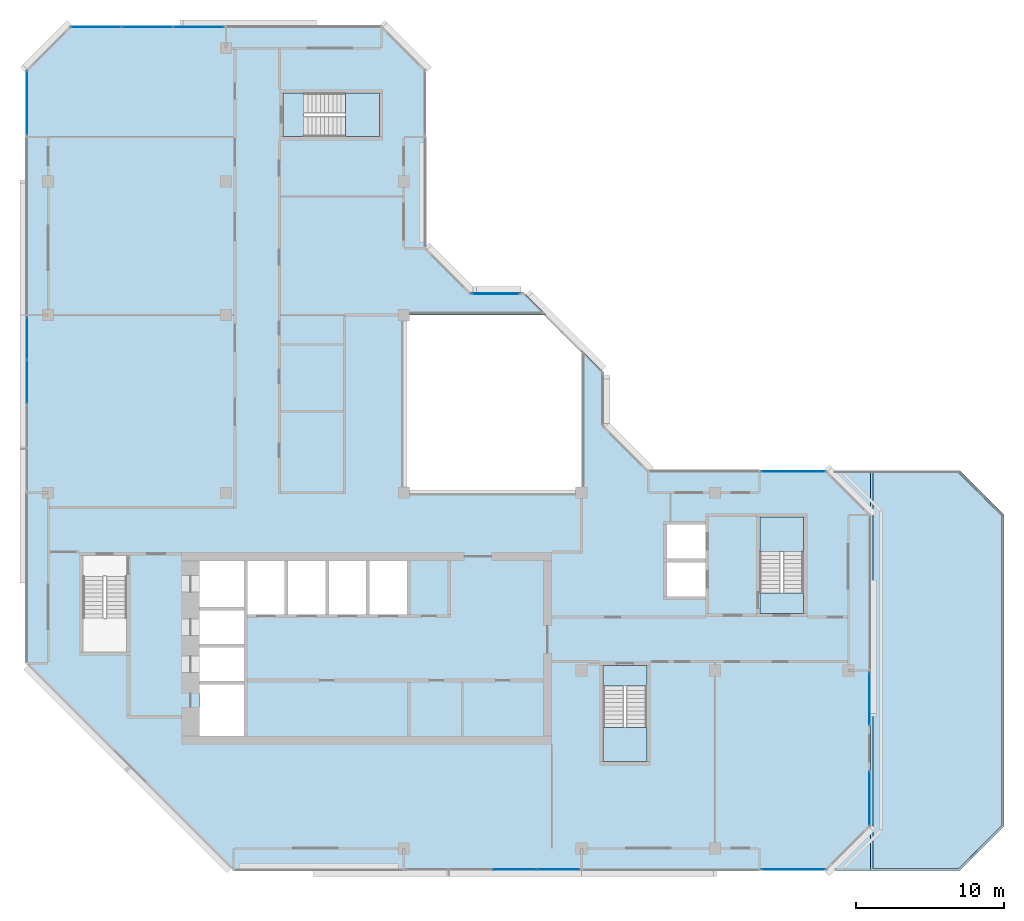
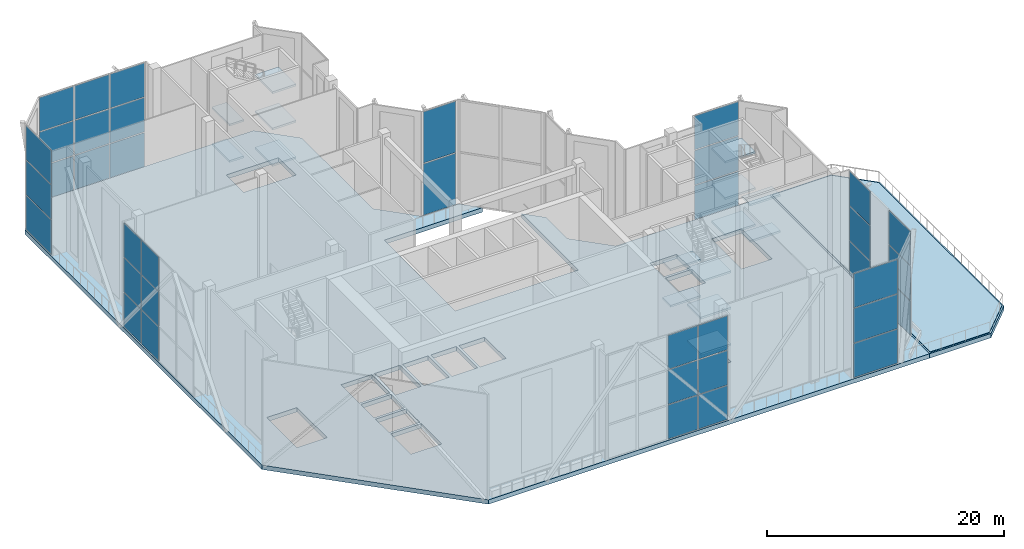
# One storey, part 7 of 16: 38 plates, 18 slabs, 12 elements without a shape of their own.
"""IFC4 building model written with IfcOpenShell, lengths in metres."""

from ifc_helpers import new_model, si_unit, direction, frame, origin, origin_2d, place, context, subcontext, project, spatial, polyline, rectangle, outline, extrude, material, layer, layer_set, type_object, element, aggregate, save


model = new_model("IFC4")

# Units and contexts
model_context = context("Model", 3, precision=1e-05, world=origin(), true_north=direction((0.0, 1.0)))
body_context = subcontext(model_context, "Body", "Model", "MODEL_VIEW")
ifc_project = project(units=[si_unit("LENGTHUNIT", "METRE"), si_unit("AREAUNIT", "SQUARE_METRE"), si_unit("VOLUMEUNIT", "CUBIC_METRE"), si_unit("PLANEANGLEUNIT", "RADIAN"), si_unit("MASSUNIT", "GRAM", prefix="KILO")], contexts=[model_context])

# Site, building, storey
site_placement = place(None, origin())
site = spatial("IfcSite", under=ifc_project, at=site_placement, CompositionType="ELEMENT")
building_placement = place(site_placement, origin())
building = spatial("IfcBuilding", under=site, at=building_placement, Name="Chenar Terraces", CompositionType="ELEMENT")
storey_placement = place(building_placement, frame((0.0, 0.0, 327.64990234375)))
storey = spatial("IfcBuildingStorey", under=building, at=storey_placement, Name="L77", CompositionType="ELEMENT", Elevation=327.64990234375)

# Curtain wall, plates
ifc_material_1 = material(Name="Aluminium framed glazing", Category="aluminium")
ifc_layer_1 = layer(ifc_material_1, 0.14990234375)
ifc_layer_set_1 = layer_set([ifc_layer_1], Name="Aluminium framed glazing")
curtain_wall_type_1 = type_object("IfcCurtainWallType", Name="Atrium upper-zone curtain wall", PredefinedType="NOTDEFINED", material=ifc_layer_set_1)
placement_1 = place(storey_placement, origin())
curtain_wall_1 = element("IfcCurtainWall", 1, at=placement_1, inside=storey, type_object=curtain_wall_type_1, Name="Atrium upper-zone curtain wall", PredefinedType="NOTDEFINED")
ifc_material_2 = material(Name="Low emissivity laminated glass, solar control coating", Category="glass")
ifc_layer_2 = layer(ifc_material_2, 0.050048828125)
ifc_layer_set_2 = layer_set([ifc_layer_2], Name="Low emissivity laminated glass, solar control coating")
plate_type_1 = type_object("IfcPlateType", Name="Atrium upper-zone glazing panel 50", PredefinedType="CURTAIN_PANEL", material=ifc_layer_set_2)
plate_1_placement = place(storey_placement, frame((30.199951171875, 37.425048828125, 0.10009765625), z_axis=(0.0, 0.0, 1.0), x_axis=(-1.0, 0.0, 0.0)))
plate_1 = element("IfcPlate", 2, at=plate_1_placement, type_object=plate_type_1, Name="CW8-3 panel 1.1", PredefinedType="CURTAIN_PANEL", context=body_context, shape_type="SweptSolid", body=[
    extrude(rectangle(XDim=3.199951171875, YDim=0.050048828125, at=origin_2d()), origin(), (0.0, 0.0, 1.0), 5.27490234375),
])
plate_2_placement = place(storey_placement, frame((30.199951171875, 37.425048828125, 5.47509765625), z_axis=(0.0, 0.0, 1.0), x_axis=(-1.0, 0.0, 0.0)))
plate_2 = element("IfcPlate", 3, at=plate_2_placement, type_object=plate_type_1, Name="CW8-3 panel 1.2", PredefinedType="CURTAIN_PANEL", context=body_context, shape_type="SweptSolid", body=[
    extrude(rectangle(XDim=3.199951171875, YDim=0.050048828125, at=origin_2d()), origin(), (0.0, 0.0, 1.0), 5.27490234375),
])
aggregate(curtain_wall_1, [plate_1, plate_2])

# Stair, slabs
ifc_material_3 = material(Name="Reinforced concrete C40/50", Category="concrete")
stair_type = type_object("IfcStairType", Name="Core stair 1400 half-turn", PredefinedType="HALF_TURN_STAIR", material=ifc_material_3)
stair_1 = element("IfcStair", 4, at=placement_1, inside=storey, type_object=stair_type, Name="L77 Stair 2", PredefinedType="HALF_TURN_STAIR")
ifc_material_4 = material(Name="Reinforced concrete C40/50", Category="concrete")
ifc_layer_3 = layer(ifc_material_4, 0.199951171875)
ifc_layer_set_3 = layer_set([ifc_layer_3], Name="Reinforced concrete C40/50")
slab_type_1 = type_object("IfcSlabType", Name="Core stair landing 200", PredefinedType="LANDING", material=ifc_layer_set_3)
placement_2 = place(storey_placement, frame((0.0, 0.0, 1.675048828125)))
slab_1 = element("IfcSlab", 5, at=placement_2, type_object=slab_type_1, Name="ST2 landing 1", PredefinedType="LANDING", context=body_context, shape_type="SweptSolid", body=[
    extrude(outline(polyline([(37.449951171875, 8.14990234375), (37.449951171875, 5.85009765625), (40.39990234375, 5.85009765625), (40.39990234375, 8.14990234375), (37.449951171875, 8.14990234375)])), origin(), (0.0, 0.0, 1.0), 0.199951171875),
])
placement_3 = place(storey_placement, frame((0.0, 0.0, 3.550048828125)))
slab_2 = element("IfcSlab", 6, at=placement_3, type_object=slab_type_1, Name="ST2 landing 2", PredefinedType="LANDING", context=body_context, shape_type="SweptSolid", body=[
    extrude(outline(polyline([(37.449951171875, 12.35009765625), (37.449951171875, 10.949951171875), (40.39990234375, 10.949951171875), (40.39990234375, 12.35009765625), (37.449951171875, 12.35009765625)])), origin(), (0.0, 0.0, 1.0), 0.199951171875),
])
placement_4 = place(storey_placement, frame((0.0, 0.0, 5.425048828125)))
slab_3 = element("IfcSlab", 7, at=placement_4, type_object=slab_type_1, Name="ST2 landing 3", PredefinedType="LANDING", context=body_context, shape_type="SweptSolid", body=[
    extrude(outline(polyline([(37.449951171875, 8.14990234375), (37.449951171875, 5.85009765625), (40.39990234375, 5.85009765625), (40.39990234375, 8.14990234375), (37.449951171875, 8.14990234375)])), origin(), (0.0, 0.0, 1.0), 0.199951171875),
])
placement_5 = place(storey_placement, frame((0.0, 0.0, 7.300048828125)))
slab_4 = element("IfcSlab", 8, at=placement_5, type_object=slab_type_1, Name="ST2 landing 4", PredefinedType="LANDING", context=body_context, shape_type="SweptSolid", body=[
    extrude(outline(polyline([(37.449951171875, 12.35009765625), (37.449951171875, 10.949951171875), (40.39990234375, 10.949951171875), (40.39990234375, 12.35009765625), (37.449951171875, 12.35009765625)])), origin(), (0.0, 0.0, 1.0), 0.199951171875),
])
placement_6 = place(storey_placement, frame((0.0, 0.0, 9.175048828125)))
slab_5 = element("IfcSlab", 9, at=placement_6, type_object=slab_type_1, Name="ST2 landing 5", PredefinedType="LANDING", context=body_context, shape_type="SweptSolid", body=[
    extrude(outline(polyline([(37.449951171875, 8.14990234375), (37.449951171875, 5.85009765625), (40.39990234375, 5.85009765625), (40.39990234375, 8.14990234375), (37.449951171875, 8.14990234375)])), origin(), (0.0, 0.0, 1.0), 0.199951171875),
])
aggregate(stair_1, [slab_1, slab_2, slab_3, slab_4, slab_5])

stair_2 = element("IfcStair", 10, at=placement_1, inside=storey, type_object=stair_type, Name="L77 Stair 3", PredefinedType="HALF_TURN_STAIR")
slab_6 = element("IfcSlab", 11, at=placement_2, type_object=slab_type_1, Name="ST3 landing 1", PredefinedType="LANDING", context=body_context, shape_type="SweptSolid", body=[
    extrude(outline(polyline([(50.97509765625, 20.050048828125), (50.97509765625, 22.35009765625), (48.02490234375, 22.35009765625), (48.02490234375, 20.050048828125), (50.97509765625, 20.050048828125)])), origin(), (0.0, 0.0, 1.0), 0.199951171875),
])
slab_7 = element("IfcSlab", 12, at=placement_3, type_object=slab_type_1, Name="ST3 landing 2", PredefinedType="LANDING", context=body_context, shape_type="SweptSolid", body=[
    extrude(outline(polyline([(50.97509765625, 15.85009765625), (50.97509765625, 17.25), (48.02490234375, 17.25), (48.02490234375, 15.85009765625), (50.97509765625, 15.85009765625)])), origin(), (0.0, 0.0, 1.0), 0.199951171875),
])
slab_8 = element("IfcSlab", 13, at=placement_4, type_object=slab_type_1, Name="ST3 landing 3", PredefinedType="LANDING", context=body_context, shape_type="SweptSolid", body=[
    extrude(outline(polyline([(50.97509765625, 20.050048828125), (50.97509765625, 22.35009765625), (48.02490234375, 22.35009765625), (48.02490234375, 20.050048828125), (50.97509765625, 20.050048828125)])), origin(), (0.0, 0.0, 1.0), 0.199951171875),
])
slab_9 = element("IfcSlab", 14, at=placement_5, type_object=slab_type_1, Name="ST3 landing 4", PredefinedType="LANDING", context=body_context, shape_type="SweptSolid", body=[
    extrude(outline(polyline([(50.97509765625, 15.85009765625), (50.97509765625, 17.25), (48.02490234375, 17.25), (48.02490234375, 15.85009765625), (50.97509765625, 15.85009765625)])), origin(), (0.0, 0.0, 1.0), 0.199951171875),
])
slab_10 = element("IfcSlab", 15, at=placement_6, type_object=slab_type_1, Name="ST3 landing 5", PredefinedType="LANDING", context=body_context, shape_type="SweptSolid", body=[
    extrude(outline(polyline([(50.97509765625, 20.050048828125), (50.97509765625, 22.35009765625), (48.02490234375, 22.35009765625), (48.02490234375, 20.050048828125), (50.97509765625, 20.050048828125)])), origin(), (0.0, 0.0, 1.0), 0.199951171875),
])
aggregate(stair_2, [slab_6, slab_7, slab_8, slab_9, slab_10])

stair_3 = element("IfcStair", 16, at=placement_1, inside=storey, type_object=stair_type, Name="L77 Stair 4", PredefinedType="HALF_TURN_STAIR")
slab_11 = element("IfcSlab", 17, at=placement_2, type_object=slab_type_1, Name="ST4 landing 1", PredefinedType="LANDING", context=body_context, shape_type="SweptSolid", body=[
    extrude(outline(polyline([(20.050048828125, 48.02490234375), (22.35009765625, 48.02490234375), (22.35009765625, 50.97509765625), (20.050048828125, 50.97509765625), (20.050048828125, 48.02490234375)])), origin(), (0.0, 0.0, 1.0), 0.199951171875),
])
slab_12 = element("IfcSlab", 18, at=placement_3, type_object=slab_type_1, Name="ST4 landing 2", PredefinedType="LANDING", context=body_context, shape_type="SweptSolid", body=[
    extrude(outline(polyline([(15.85009765625, 48.02490234375), (17.25, 48.02490234375), (17.25, 50.97509765625), (15.85009765625, 50.97509765625), (15.85009765625, 48.02490234375)])), origin(), (0.0, 0.0, 1.0), 0.199951171875),
])
slab_13 = element("IfcSlab", 19, at=placement_4, type_object=slab_type_1, Name="ST4 landing 3", PredefinedType="LANDING", context=body_context, shape_type="SweptSolid", body=[
    extrude(outline(polyline([(20.050048828125, 48.02490234375), (22.35009765625, 48.02490234375), (22.35009765625, 50.97509765625), (20.050048828125, 50.97509765625), (20.050048828125, 48.02490234375)])), origin(), (0.0, 0.0, 1.0), 0.199951171875),
])
slab_14 = element("IfcSlab", 20, at=placement_5, type_object=slab_type_1, Name="ST4 landing 4", PredefinedType="LANDING", context=body_context, shape_type="SweptSolid", body=[
    extrude(outline(polyline([(15.85009765625, 48.02490234375), (17.25, 48.02490234375), (17.25, 50.97509765625), (15.85009765625, 50.97509765625), (15.85009765625, 48.02490234375)])), origin(), (0.0, 0.0, 1.0), 0.199951171875),
])
slab_15 = element("IfcSlab", 21, at=placement_6, type_object=slab_type_1, Name="ST4 landing 5", PredefinedType="LANDING", context=body_context, shape_type="SweptSolid", body=[
    extrude(outline(polyline([(20.050048828125, 48.02490234375), (22.35009765625, 48.02490234375), (22.35009765625, 50.97509765625), (20.050048828125, 50.97509765625), (20.050048828125, 48.02490234375)])), origin(), (0.0, 0.0, 1.0), 0.199951171875),
])
aggregate(stair_3, [slab_11, slab_12, slab_13, slab_14, slab_15])

# Slab
ifc_material_5 = material(Name="Concrete C40/50", Category="concrete")
ifc_layer_4 = layer(ifc_material_5, 0.449951171875)
ifc_layer_set_4 = layer_set([ifc_layer_4], Name="Concrete C40/50")
slab_type_2 = type_object("IfcSlabType", Name="Floor slab 450 Concrete C40/50", PredefinedType="FLOOR", material=ifc_layer_set_4)
placement_7 = place(storey_placement, frame((0.0, 0.0, -0.449951171875)))
element("IfcSlab", 22, at=placement_7, inside=storey, type_object=slab_type_2, Name="Floor slab L77", PredefinedType="FLOOR", context=body_context, shape_type="SweptSolid", body=[
    extrude(outline(polyline([(52.501953125, -1.498046875), (12.500732421875, -1.498046875), (-1.498046875, 12.500732421875), (-1.498046875, 52.499267578125), (1.500732421875, 55.498046875), (22.499267578125, 55.498046875), (25.498046875, 52.499267578125), (25.498046875, 40.499267578125), (28.499267578125, 37.498046875), (32.09912109375, 37.498046875), (33.59716796875, 36.0), (24.0, 36.0), (24.0, 24.0), (36.0, 24.0), (36.0, 33.59716796875), (37.498046875, 32.09912109375), (37.498046875, 28.499267578125), (40.499267578125, 25.498046875), (52.501953125, 25.498046875), (52.5, 25.5), (55.5, 25.5), (55.5, 22.5), (55.498046875, 22.501953125), (55.498046875, 1.498046875), (55.5, 1.5), (55.5, -1.5), (52.5, -1.5), (52.501953125, -1.498046875)]), holes=[polyline([(10.199951171875, 11.050048828125), (10.199951171875, 7.60009765625), (13.199951171875, 7.60009765625), (13.199951171875, 11.050048828125), (10.199951171875, 11.050048828125)]), polyline([(13.199951171875, 13.550048828125), (10.199951171875, 13.550048828125), (10.199951171875, 11.300048828125), (13.199951171875, 11.300048828125), (13.199951171875, 13.550048828125)]), polyline([(13.199951171875, 16.050048828125), (10.199951171875, 16.050048828125), (10.199951171875, 13.800048828125), (13.199951171875, 13.800048828125), (13.199951171875, 16.050048828125)]), polyline([(2.35009765625, 13.25), (5.300048828125, 13.25), (5.300048828125, 18.35009765625), (2.35009765625, 18.35009765625), (2.35009765625, 13.25)]), polyline([(15.949951171875, 19.39990234375), (13.449951171875, 19.39990234375), (13.449951171875, 15.800048828125), (15.949951171875, 15.800048828125), (15.949951171875, 19.39990234375)]), polyline([(18.699951171875, 19.39990234375), (16.199951171875, 19.39990234375), (16.199951171875, 15.800048828125), (18.699951171875, 15.800048828125), (18.699951171875, 19.39990234375)]), polyline([(13.199951171875, 19.39990234375), (10.199951171875, 19.39990234375), (10.199951171875, 16.300048828125), (13.199951171875, 16.300048828125), (13.199951171875, 19.39990234375)]), polyline([(22.35009765625, 48.02490234375), (22.35009765625, 50.97509765625), (17.25, 50.97509765625), (17.25, 48.02490234375), (22.35009765625, 48.02490234375)]), polyline([(37.449951171875, 5.85009765625), (40.39990234375, 5.85009765625), (40.39990234375, 10.949951171875), (37.449951171875, 10.949951171875), (37.449951171875, 5.85009765625)]), polyline([(21.449951171875, 19.39990234375), (18.949951171875, 19.39990234375), (18.949951171875, 15.800048828125), (21.449951171875, 15.800048828125), (21.449951171875, 19.39990234375)]), polyline([(24.199951171875, 19.39990234375), (21.699951171875, 19.39990234375), (21.699951171875, 15.800048828125), (24.199951171875, 15.800048828125), (24.199951171875, 19.39990234375)]), polyline([(44.35009765625, 19.300048828125), (41.75, 19.300048828125), (41.75, 17.0), (44.35009765625, 17.0), (44.35009765625, 19.300048828125)]), polyline([(50.97509765625, 22.35009765625), (48.02490234375, 22.35009765625), (48.02490234375, 17.25), (50.97509765625, 17.25), (50.97509765625, 22.35009765625)]), polyline([(44.35009765625, 21.85009765625), (41.75, 21.85009765625), (41.75, 19.550048828125), (44.35009765625, 19.550048828125), (44.35009765625, 21.85009765625)])]), origin(), (0.0, 0.0, 1.0), 0.449951171875),
])

# Curtain wall, plates
ifc_material_6 = material(Name="Aluminium framed glazing", Category="aluminium")
ifc_layer_5 = layer(ifc_material_6, 0.14990234375)
ifc_layer_set_5 = layer_set([ifc_layer_5], Name="Aluminium framed glazing")
curtain_wall_type_2 = type_object("IfcCurtainWallType", Name="Sky garden curtain wall", PredefinedType="NOTDEFINED", material=ifc_layer_set_5)
curtain_wall_2 = element("IfcCurtainWall", 23, at=placement_1, inside=storey, type_object=curtain_wall_type_2, Name="Sky garden curtain wall", PredefinedType="NOTDEFINED")
ifc_material_7 = material(Name="Low emissivity laminated glass, solar control coating", Category="glass")
ifc_layer_6 = layer(ifc_material_7, 0.031982421875)
ifc_layer_set_6 = layer_set([ifc_layer_6], Name="Low emissivity laminated glass, solar control coating")
plate_type_2 = type_object("IfcPlateType", Name="Sky garden glazing panel 32", PredefinedType="CURTAIN_PANEL", material=ifc_layer_set_6)
plate_3_placement = place(storey_placement, frame((50.28759765625, 25.425048828125, 0.080078125), z_axis=(0.0, 0.0, 1.0), x_axis=(-1.0, 0.0, 0.0)))
plate_3 = element("IfcPlate", 24, at=plate_3_placement, type_object=plate_type_2, Name="CW3-01 panel 1.1", PredefinedType="CURTAIN_PANEL", context=body_context, shape_type="SweptSolid", body=[
    extrude(rectangle(XDim=4.264892578125, YDim=0.028076171875, at=origin_2d()), origin(), (0.0, 0.0, 1.0), 3.4970703125),
])
plate_4_placement = place(storey_placement, frame((50.28759765625, 25.425048828125, 3.6572265625), z_axis=(0.0, 0.0, 1.0), x_axis=(-1.0, 0.0, 0.0)))
plate_4 = element("IfcPlate", 25, at=plate_4_placement, type_object=plate_type_2, Name="CW3-01 panel 1.2", PredefinedType="CURTAIN_PANEL", context=body_context, shape_type="SweptSolid", body=[
    extrude(rectangle(XDim=4.264892578125, YDim=0.028076171875, at=origin_2d()), origin(), (0.0, 0.0, 1.0), 3.535888671875),
])
plate_5_placement = place(storey_placement, frame((50.28759765625, 25.425048828125, 7.27294921875), z_axis=(0.0, 0.0, 1.0), x_axis=(-1.0, 0.0, 0.0)))
plate_5 = element("IfcPlate", 26, at=plate_5_placement, type_object=plate_type_2, Name="CW3-01 panel 1.3", PredefinedType="CURTAIN_PANEL", context=body_context, shape_type="SweptSolid", body=[
    extrude(rectangle(XDim=4.264892578125, YDim=0.028076171875, at=origin_2d()), origin(), (0.0, 0.0, 1.0), 3.4970703125),
])
aggregate(curtain_wall_2, [plate_3, plate_4, plate_5])

curtain_wall_3 = element("IfcCurtainWall", 27, at=placement_1, inside=storey, type_object=curtain_wall_type_2, Name="Sky garden curtain wall", PredefinedType="NOTDEFINED")
plate_6_placement = place(storey_placement, frame((10.16748046875, 55.425048828125, 0.080078125), z_axis=(0.0, 0.0, 1.0), x_axis=(-1.0, 0.0, 0.0)))
plate_6 = element("IfcPlate", 28, at=plate_6_placement, type_object=plate_type_2, Name="CW3-03 panel 1.1", PredefinedType="CURTAIN_PANEL", context=body_context, shape_type="SweptSolid", body=[
    extrude(rectangle(XDim=3.35498046875, YDim=0.028076171875, at=origin_2d()), origin(), (0.0, 0.0, 1.0), 3.4970703125),
])
plate_7_placement = place(storey_placement, frame((10.16748046875, 55.425048828125, 3.6572265625), z_axis=(0.0, 0.0, 1.0), x_axis=(-1.0, 0.0, 0.0)))
plate_7 = element("IfcPlate", 29, at=plate_7_placement, type_object=plate_type_2, Name="CW3-03 panel 1.2", PredefinedType="CURTAIN_PANEL", context=body_context, shape_type="SweptSolid", body=[
    extrude(rectangle(XDim=3.35498046875, YDim=0.028076171875, at=origin_2d()), origin(), (0.0, 0.0, 1.0), 3.535888671875),
])
plate_8_placement = place(storey_placement, frame((10.16748046875, 55.425048828125, 7.27294921875), z_axis=(0.0, 0.0, 1.0), x_axis=(-1.0, 0.0, 0.0)))
plate_8 = element("IfcPlate", 30, at=plate_8_placement, type_object=plate_type_2, Name="CW3-03 panel 1.3", PredefinedType="CURTAIN_PANEL", context=body_context, shape_type="SweptSolid", body=[
    extrude(rectangle(XDim=3.35498046875, YDim=0.028076171875, at=origin_2d()), origin(), (0.0, 0.0, 1.0), 3.4970703125),
])
plate_9_placement = place(storey_placement, frame((6.71240234375, 55.425048828125, 0.080078125), z_axis=(0.0, 0.0, 1.0), x_axis=(-1.0, 0.0, 0.0)))
plate_9 = element("IfcPlate", 31, at=plate_9_placement, type_object=plate_type_2, Name="CW3-03 panel 2.1", PredefinedType="CURTAIN_PANEL", context=body_context, shape_type="SweptSolid", body=[
    extrude(rectangle(XDim=3.39501953125, YDim=0.028076171875, at=origin_2d()), origin(), (0.0, 0.0, 1.0), 3.4970703125),
])
plate_10_placement = place(storey_placement, frame((6.71240234375, 55.425048828125, 3.6572265625), z_axis=(0.0, 0.0, 1.0), x_axis=(-1.0, 0.0, 0.0)))
plate_10 = element("IfcPlate", 32, at=plate_10_placement, type_object=plate_type_2, Name="CW3-03 panel 2.2", PredefinedType="CURTAIN_PANEL", context=body_context, shape_type="SweptSolid", body=[
    extrude(rectangle(XDim=3.39501953125, YDim=0.028076171875, at=origin_2d()), origin(), (0.0, 0.0, 1.0), 3.535888671875),
])
plate_11_placement = place(storey_placement, frame((6.71240234375, 55.425048828125, 7.27294921875), z_axis=(0.0, 0.0, 1.0), x_axis=(-1.0, 0.0, 0.0)))
plate_11 = element("IfcPlate", 33, at=plate_11_placement, type_object=plate_type_2, Name="CW3-03 panel 2.3", PredefinedType="CURTAIN_PANEL", context=body_context, shape_type="SweptSolid", body=[
    extrude(rectangle(XDim=3.39501953125, YDim=0.028076171875, at=origin_2d()), origin(), (0.0, 0.0, 1.0), 3.4970703125),
])
plate_12_placement = place(storey_placement, frame((3.257568359375, 55.425048828125, 0.080078125), z_axis=(0.0, 0.0, 1.0), x_axis=(-1.0, 0.0, 0.0)))
plate_12 = element("IfcPlate", 34, at=plate_12_placement, type_object=plate_type_2, Name="CW3-03 panel 3.1", PredefinedType="CURTAIN_PANEL", context=body_context, shape_type="SweptSolid", body=[
    extrude(rectangle(XDim=3.35498046875, YDim=0.028076171875, at=origin_2d()), origin(), (0.0, 0.0, 1.0), 3.4970703125),
])
plate_13_placement = place(storey_placement, frame((3.257568359375, 55.425048828125, 3.6572265625), z_axis=(0.0, 0.0, 1.0), x_axis=(-1.0, 0.0, 0.0)))
plate_13 = element("IfcPlate", 35, at=plate_13_placement, type_object=plate_type_2, Name="CW3-03 panel 3.2", PredefinedType="CURTAIN_PANEL", context=body_context, shape_type="SweptSolid", body=[
    extrude(rectangle(XDim=3.35498046875, YDim=0.028076171875, at=origin_2d()), origin(), (0.0, 0.0, 1.0), 3.535888671875),
])
plate_14_placement = place(storey_placement, frame((3.257568359375, 55.425048828125, 7.27294921875), z_axis=(0.0, 0.0, 1.0), x_axis=(-1.0, 0.0, 0.0)))
plate_14 = element("IfcPlate", 36, at=plate_14_placement, type_object=plate_type_2, Name="CW3-03 panel 3.3", PredefinedType="CURTAIN_PANEL", context=body_context, shape_type="SweptSolid", body=[
    extrude(rectangle(XDim=3.35498046875, YDim=0.028076171875, at=origin_2d()), origin(), (0.0, 0.0, 1.0), 3.4970703125),
])
aggregate(curtain_wall_3, [plate_6, plate_7, plate_8, plate_9, plate_10, plate_11, plate_12, plate_13, plate_14])

curtain_wall_4 = element("IfcCurtainWall", 37, at=placement_1, inside=storey, type_object=curtain_wall_type_2, Name="Sky garden curtain wall", PredefinedType="NOTDEFINED")
plate_15_placement = place(storey_placement, frame((-1.425048828125, 50.28759765625, 0.080078125), z_axis=(0.0, 0.0, 1.0), x_axis=(0.0, -1.0, 0.0)))
plate_15 = element("IfcPlate", 38, at=plate_15_placement, type_object=plate_type_2, Name="CW3-04 panel 1.1", PredefinedType="CURTAIN_PANEL", context=body_context, shape_type="SweptSolid", body=[
    extrude(rectangle(XDim=4.264892578125, YDim=0.028076171875, at=origin_2d()), origin(), (0.0, 0.0, 1.0), 3.4970703125),
])
plate_16_placement = place(storey_placement, frame((-1.425048828125, 50.28759765625, 3.6572265625), z_axis=(0.0, 0.0, 1.0), x_axis=(0.0, -1.0, 0.0)))
plate_16 = element("IfcPlate", 39, at=plate_16_placement, type_object=plate_type_2, Name="CW3-04 panel 1.2", PredefinedType="CURTAIN_PANEL", context=body_context, shape_type="SweptSolid", body=[
    extrude(rectangle(XDim=4.264892578125, YDim=0.028076171875, at=origin_2d()), origin(), (0.0, 0.0, 1.0), 3.535888671875),
])
plate_17_placement = place(storey_placement, frame((-1.425048828125, 50.28759765625, 7.27294921875), z_axis=(0.0, 0.0, 1.0), x_axis=(0.0, -1.0, 0.0)))
plate_17 = element("IfcPlate", 40, at=plate_17_placement, type_object=plate_type_2, Name="CW3-04 panel 1.3", PredefinedType="CURTAIN_PANEL", context=body_context, shape_type="SweptSolid", body=[
    extrude(rectangle(XDim=4.264892578125, YDim=0.028076171875, at=origin_2d()), origin(), (0.0, 0.0, 1.0), 3.4970703125),
])
aggregate(curtain_wall_4, [plate_15, plate_16, plate_17])

curtain_wall_5 = element("IfcCurtainWall", 41, at=placement_1, inside=storey, type_object=curtain_wall_type_2, Name="Sky garden curtain wall", PredefinedType="NOTDEFINED")
plate_18_placement = place(storey_placement, frame((-1.425048828125, 34.423828125, 0.080078125), z_axis=(0.0, 0.0, 1.0), x_axis=(0.0, -1.0, 0.0)))
plate_18 = element("IfcPlate", 42, at=plate_18_placement, type_object=plate_type_2, Name="CW3-05 panel 1.1", PredefinedType="CURTAIN_PANEL", context=body_context, shape_type="SweptSolid", body=[
    extrude(rectangle(XDim=2.842529296875, YDim=0.028076171875, at=origin_2d()), origin(), (0.0, 0.0, 1.0), 3.4970703125),
])
plate_19_placement = place(storey_placement, frame((-1.425048828125, 34.423828125, 3.6572265625), z_axis=(0.0, 0.0, 1.0), x_axis=(0.0, -1.0, 0.0)))
plate_19 = element("IfcPlate", 43, at=plate_19_placement, type_object=plate_type_2, Name="CW3-05 panel 1.2", PredefinedType="CURTAIN_PANEL", context=body_context, shape_type="SweptSolid", body=[
    extrude(rectangle(XDim=2.842529296875, YDim=0.028076171875, at=origin_2d()), origin(), (0.0, 0.0, 1.0), 3.535888671875),
])
plate_20_placement = place(storey_placement, frame((-1.425048828125, 34.423828125, 7.27294921875), z_axis=(0.0, 0.0, 1.0), x_axis=(0.0, -1.0, 0.0)))
plate_20 = element("IfcPlate", 44, at=plate_20_placement, type_object=plate_type_2, Name="CW3-05 panel 1.3", PredefinedType="CURTAIN_PANEL", context=body_context, shape_type="SweptSolid", body=[
    extrude(rectangle(XDim=2.842529296875, YDim=0.028076171875, at=origin_2d()), origin(), (0.0, 0.0, 1.0), 3.4970703125),
])
plate_21_placement = place(storey_placement, frame((-1.425048828125, 31.481201171875, 0.080078125), z_axis=(0.0, 0.0, 1.0), x_axis=(0.0, -1.0, 0.0)))
plate_21 = element("IfcPlate", 45, at=plate_21_placement, type_object=plate_type_2, Name="CW3-05 panel 2.1", PredefinedType="CURTAIN_PANEL", context=body_context, shape_type="SweptSolid", body=[
    extrude(rectangle(XDim=2.882568359375, YDim=0.028076171875, at=origin_2d()), origin(), (0.0, 0.0, 1.0), 3.4970703125),
])
plate_22_placement = place(storey_placement, frame((-1.425048828125, 31.481201171875, 3.6572265625), z_axis=(0.0, 0.0, 1.0), x_axis=(0.0, -1.0, 0.0)))
plate_22 = element("IfcPlate", 46, at=plate_22_placement, type_object=plate_type_2, Name="CW3-05 panel 2.2", PredefinedType="CURTAIN_PANEL", context=body_context, shape_type="SweptSolid", body=[
    extrude(rectangle(XDim=2.882568359375, YDim=0.028076171875, at=origin_2d()), origin(), (0.0, 0.0, 1.0), 3.535888671875),
])
plate_23_placement = place(storey_placement, frame((-1.425048828125, 31.481201171875, 7.27294921875), z_axis=(0.0, 0.0, 1.0), x_axis=(0.0, -1.0, 0.0)))
plate_23 = element("IfcPlate", 47, at=plate_23_placement, type_object=plate_type_2, Name="CW3-05 panel 2.3", PredefinedType="CURTAIN_PANEL", context=body_context, shape_type="SweptSolid", body=[
    extrude(rectangle(XDim=2.882568359375, YDim=0.028076171875, at=origin_2d()), origin(), (0.0, 0.0, 1.0), 3.4970703125),
])
aggregate(curtain_wall_5, [plate_18, plate_19, plate_20, plate_21, plate_22, plate_23])

curtain_wall_6 = element("IfcCurtainWall", 48, at=placement_1, inside=storey, type_object=curtain_wall_type_2, Name="Sky garden curtain wall", PredefinedType="NOTDEFINED")
plate_24_placement = place(storey_placement, frame((31.481201171875, -1.425048828125, 0.080078125), z_axis=(0.0, 0.0, 1.0), x_axis=(1.0, 0.0, 0.0)))
plate_24 = element("IfcPlate", 49, at=plate_24_placement, type_object=plate_type_2, Name="CW3-06 panel 3.1", PredefinedType="CURTAIN_PANEL", context=body_context, shape_type="SweptSolid", body=[
    extrude(rectangle(XDim=2.882568359375, YDim=0.028076171875, at=origin_2d()), origin(), (0.0, 0.0, 1.0), 3.4970703125),
])
plate_25_placement = place(storey_placement, frame((31.481201171875, -1.425048828125, 3.6572265625), z_axis=(0.0, 0.0, 1.0), x_axis=(1.0, 0.0, 0.0)))
plate_25 = element("IfcPlate", 50, at=plate_25_placement, type_object=plate_type_2, Name="CW3-06 panel 3.2", PredefinedType="CURTAIN_PANEL", context=body_context, shape_type="SweptSolid", body=[
    extrude(rectangle(XDim=2.882568359375, YDim=0.028076171875, at=origin_2d()), origin(), (0.0, 0.0, 1.0), 3.535888671875),
])
plate_26_placement = place(storey_placement, frame((31.481201171875, -1.425048828125, 7.27294921875), z_axis=(0.0, 0.0, 1.0), x_axis=(1.0, 0.0, 0.0)))
plate_26 = element("IfcPlate", 51, at=plate_26_placement, type_object=plate_type_2, Name="CW3-06 panel 3.3", PredefinedType="CURTAIN_PANEL", context=body_context, shape_type="SweptSolid", body=[
    extrude(rectangle(XDim=2.882568359375, YDim=0.028076171875, at=origin_2d()), origin(), (0.0, 0.0, 1.0), 3.4970703125),
])
plate_27_placement = place(storey_placement, frame((34.423828125, -1.425048828125, 0.080078125), z_axis=(0.0, 0.0, 1.0), x_axis=(1.0, 0.0, 0.0)))
plate_27 = element("IfcPlate", 52, at=plate_27_placement, type_object=plate_type_2, Name="CW3-06 panel 4.1", PredefinedType="CURTAIN_PANEL", context=body_context, shape_type="SweptSolid", body=[
    extrude(rectangle(XDim=2.842529296875, YDim=0.028076171875, at=origin_2d()), origin(), (0.0, 0.0, 1.0), 3.4970703125),
])
plate_28_placement = place(storey_placement, frame((34.423828125, -1.425048828125, 3.6572265625), z_axis=(0.0, 0.0, 1.0), x_axis=(1.0, 0.0, 0.0)))
plate_28 = element("IfcPlate", 53, at=plate_28_placement, type_object=plate_type_2, Name="CW3-06 panel 4.2", PredefinedType="CURTAIN_PANEL", context=body_context, shape_type="SweptSolid", body=[
    extrude(rectangle(XDim=2.842529296875, YDim=0.028076171875, at=origin_2d()), origin(), (0.0, 0.0, 1.0), 3.535888671875),
])
plate_29_placement = place(storey_placement, frame((34.423828125, -1.425048828125, 7.27294921875), z_axis=(0.0, 0.0, 1.0), x_axis=(1.0, 0.0, 0.0)))
plate_29 = element("IfcPlate", 54, at=plate_29_placement, type_object=plate_type_2, Name="CW3-06 panel 4.3", PredefinedType="CURTAIN_PANEL", context=body_context, shape_type="SweptSolid", body=[
    extrude(rectangle(XDim=2.842529296875, YDim=0.028076171875, at=origin_2d()), origin(), (0.0, 0.0, 1.0), 3.4970703125),
])
aggregate(curtain_wall_6, [plate_24, plate_25, plate_26, plate_27, plate_28, plate_29])

curtain_wall_7 = element("IfcCurtainWall", 55, at=placement_1, inside=storey, type_object=curtain_wall_type_2, Name="Sky garden curtain wall", PredefinedType="NOTDEFINED")
plate_30_placement = place(storey_placement, frame((50.28759765625, -1.425048828125, 0.080078125), z_axis=(0.0, 0.0, 1.0), x_axis=(1.0, 0.0, 0.0)))
plate_30 = element("IfcPlate", 56, at=plate_30_placement, type_object=plate_type_2, Name="CW3-07 panel 1.1", PredefinedType="CURTAIN_PANEL", context=body_context, shape_type="SweptSolid", body=[
    extrude(rectangle(XDim=4.264892578125, YDim=0.028076171875, at=origin_2d()), origin(), (0.0, 0.0, 1.0), 3.4970703125),
])
plate_31_placement = place(storey_placement, frame((50.28759765625, -1.425048828125, 3.6572265625), z_axis=(0.0, 0.0, 1.0), x_axis=(1.0, 0.0, 0.0)))
plate_31 = element("IfcPlate", 57, at=plate_31_placement, type_object=plate_type_2, Name="CW3-07 panel 1.2", PredefinedType="CURTAIN_PANEL", context=body_context, shape_type="SweptSolid", body=[
    extrude(rectangle(XDim=4.264892578125, YDim=0.028076171875, at=origin_2d()), origin(), (0.0, 0.0, 1.0), 3.535888671875),
])
plate_32_placement = place(storey_placement, frame((50.28759765625, -1.425048828125, 7.27294921875), z_axis=(0.0, 0.0, 1.0), x_axis=(1.0, 0.0, 0.0)))
plate_32 = element("IfcPlate", 58, at=plate_32_placement, type_object=plate_type_2, Name="CW3-07 panel 1.3", PredefinedType="CURTAIN_PANEL", context=body_context, shape_type="SweptSolid", body=[
    extrude(rectangle(XDim=4.264892578125, YDim=0.028076171875, at=origin_2d()), origin(), (0.0, 0.0, 1.0), 3.4970703125),
])
aggregate(curtain_wall_7, [plate_30, plate_31, plate_32])

curtain_wall_8 = element("IfcCurtainWall", 59, at=placement_1, inside=storey, type_object=curtain_wall_type_2, Name="Sky garden curtain wall", PredefinedType="NOTDEFINED")
plate_33_placement = place(storey_placement, frame((55.425048828125, 3.36865234375, 0.080078125), z_axis=(0.0, 0.0, 1.0), x_axis=(0.0, 1.0, 0.0)))
plate_33 = element("IfcPlate", 60, at=plate_33_placement, type_object=plate_type_2, Name="CW3-08 panel 1.1", PredefinedType="CURTAIN_PANEL", context=body_context, shape_type="SweptSolid", body=[
    extrude(rectangle(XDim=3.577392578125, YDim=0.028076171875, at=origin_2d()), origin(), (0.0, 0.0, 1.0), 3.4970703125),
])
plate_34_placement = place(storey_placement, frame((55.425048828125, 3.36865234375, 3.6572265625), z_axis=(0.0, 0.0, 1.0), x_axis=(0.0, 1.0, 0.0)))
plate_34 = element("IfcPlate", 61, at=plate_34_placement, type_object=plate_type_2, Name="CW3-08 panel 1.2", PredefinedType="CURTAIN_PANEL", context=body_context, shape_type="SweptSolid", body=[
    extrude(rectangle(XDim=3.577392578125, YDim=0.028076171875, at=origin_2d()), origin(), (0.0, 0.0, 1.0), 3.535888671875),
])
plate_35_placement = place(storey_placement, frame((55.425048828125, 3.36865234375, 7.27294921875), z_axis=(0.0, 0.0, 1.0), x_axis=(0.0, 1.0, 0.0)))
plate_35 = element("IfcPlate", 62, at=plate_35_placement, type_object=plate_type_2, Name="CW3-08 panel 1.3", PredefinedType="CURTAIN_PANEL", context=body_context, shape_type="SweptSolid", body=[
    extrude(rectangle(XDim=3.577392578125, YDim=0.028076171875, at=origin_2d()), origin(), (0.0, 0.0, 1.0), 3.4970703125),
])
aggregate(curtain_wall_8, [plate_33, plate_34, plate_35])

curtain_wall_9 = element("IfcCurtainWall", 63, at=placement_1, inside=storey, type_object=curtain_wall_type_2, Name="Sky garden curtain wall", PredefinedType="NOTDEFINED")
plate_36_placement = place(storey_placement, frame((55.425048828125, 10.09375, 0.080078125), z_axis=(0.0, 0.0, 1.0), x_axis=(0.0, 1.0, 0.0)))
plate_36 = element("IfcPlate", 64, at=plate_36_placement, type_object=plate_type_2, Name="CW3-09 panel 1.1", PredefinedType="CURTAIN_PANEL", context=body_context, shape_type="SweptSolid", body=[
    extrude(rectangle(XDim=3.50244140625, YDim=0.028076171875, at=origin_2d()), origin(), (0.0, 0.0, 1.0), 3.4970703125),
])
plate_37_placement = place(storey_placement, frame((55.425048828125, 10.09375, 3.6572265625), z_axis=(0.0, 0.0, 1.0), x_axis=(0.0, 1.0, 0.0)))
plate_37 = element("IfcPlate", 65, at=plate_37_placement, type_object=plate_type_2, Name="CW3-09 panel 1.2", PredefinedType="CURTAIN_PANEL", context=body_context, shape_type="SweptSolid", body=[
    extrude(rectangle(XDim=3.50244140625, YDim=0.028076171875, at=origin_2d()), origin(), (0.0, 0.0, 1.0), 3.535888671875),
])
plate_38_placement = place(storey_placement, frame((55.425048828125, 10.09375, 7.27294921875), z_axis=(0.0, 0.0, 1.0), x_axis=(0.0, 1.0, 0.0)))
plate_38 = element("IfcPlate", 66, at=plate_38_placement, type_object=plate_type_2, Name="CW3-09 panel 1.3", PredefinedType="CURTAIN_PANEL", context=body_context, shape_type="SweptSolid", body=[
    extrude(rectangle(XDim=3.50244140625, YDim=0.028076171875, at=origin_2d()), origin(), (0.0, 0.0, 1.0), 3.4970703125),
])
aggregate(curtain_wall_9, [plate_36, plate_37, plate_38])

# Slabs
ifc_material_8 = material(Name="Limestone paving", Category="masonry")
ifc_layer_7 = layer(ifc_material_8, 0.050048828125)
ifc_layer_set_7 = layer_set([ifc_layer_7], Name="Limestone paving")
slab_type_3 = type_object("IfcSlabType", Name="Terrace paving 50", PredefinedType="USERDEFINED", material=ifc_layer_set_7)
element("IfcSlab", 67, at=placement_1, inside=storey, type_object=slab_type_3, Name="Terrace paving", ObjectType="PAVING", PredefinedType="USERDEFINED", context=body_context, shape_type="SweptSolid", body=[
    extrude(outline(polyline([(64.35009765625, 1.56201171875), (61.43798828125, -1.35009765625), (55.64990234375, -1.35009765625), (55.64990234375, 25.35009765625), (61.43798828125, 25.35009765625), (64.35009765625, 22.43798828125), (64.35009765625, 1.56201171875)])), origin(), (0.0, 0.0, 1.0), 0.050048828125),
])
ifc_material_9 = material(Name="Concrete C40/50", Category="concrete")
ifc_layer_8 = layer(ifc_material_9, 0.449951171875)
ifc_layer_set_8 = layer_set([ifc_layer_8], Name="Concrete C40/50")
slab_type_4 = type_object("IfcSlabType", Name="Terrace slab 450 Concrete C40/50", PredefinedType="FLOOR", material=ifc_layer_set_8)
element("IfcSlab", 68, at=placement_7, inside=storey, type_object=slab_type_4, Name="Terrace slab L77", PredefinedType="FLOOR", context=body_context, shape_type="SweptSolid", body=[
    extrude(outline(polyline([(64.5, 1.5), (61.5, -1.5), (55.5, -1.5), (55.5, 1.5), (55.5, 22.5), (55.5, 25.5), (61.5, 25.5), (64.5, 22.5), (64.5, 1.5)])), origin(), (0.0, 0.0, 1.0), 0.449951171875),
])

save(model, "model.ifc")
